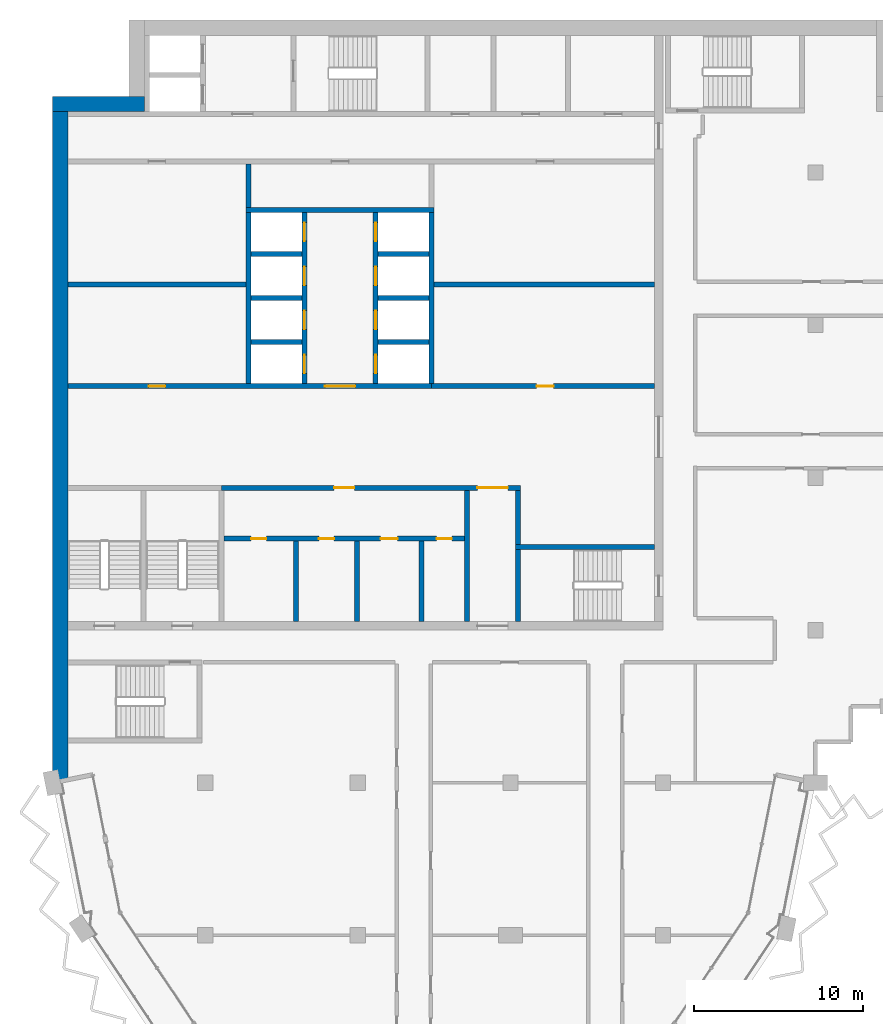
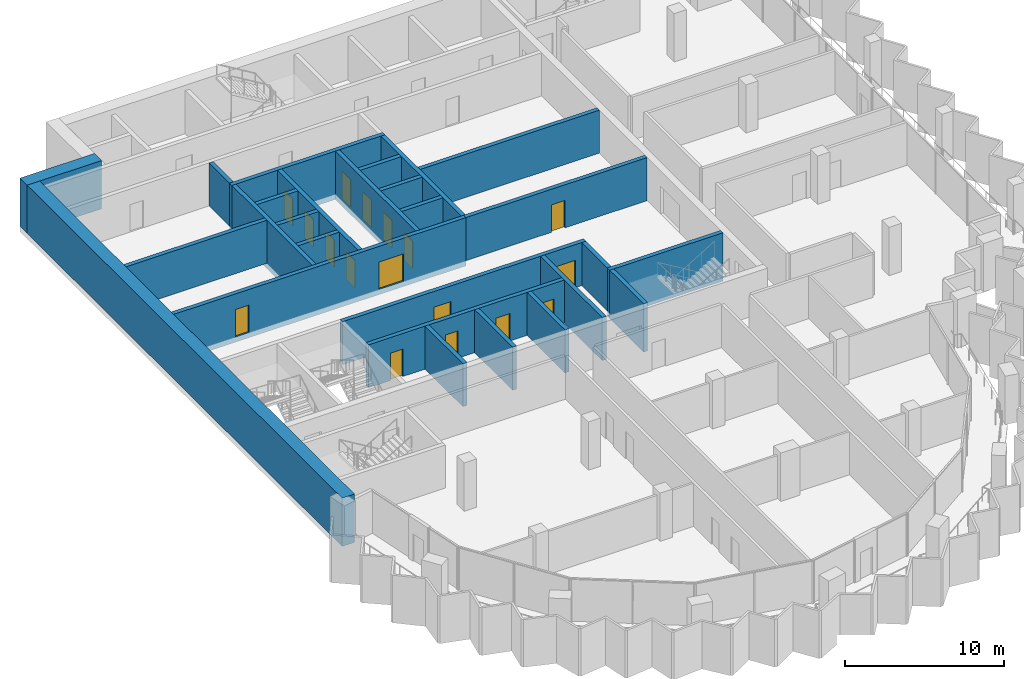
# One storey, part 7 of 13: 27 walls, 17 doors, 17 openings.
"""IFC4 building model written with IfcOpenShell, lengths in metres."""

from ifc_helpers import new_model, si_unit, direction, frame, frame_2d, origin, place, context, subcontext, project, spatial, rectangle, extrude, material, layer, layer_set, type_object, element, fill, save


model = new_model("IFC4")

# Units and contexts
model_context = context("Model", 3, precision=1e-05, world=origin(), true_north=direction((0.0, 1.0)))
body_context = subcontext(model_context, "Body", "Model", "MODEL_VIEW")
ifc_project = project(units=[si_unit("LENGTHUNIT", "METRE"), si_unit("AREAUNIT", "SQUARE_METRE"), si_unit("VOLUMEUNIT", "CUBIC_METRE"), si_unit("PLANEANGLEUNIT", "RADIAN"), si_unit("MASSUNIT", "GRAM", prefix="KILO")], contexts=[model_context])

# Site, building, storey
site_placement = place(None, origin())
site = spatial("IfcSite", under=ifc_project, at=site_placement, CompositionType="ELEMENT")
building_placement = place(site_placement, origin())
building = spatial("IfcBuilding", under=site, at=building_placement, Name="Hunhe Ridgeline Campus", CompositionType="ELEMENT")
storey_placement = place(building_placement, frame((0.0, 0.0, 280.800048828125)))
storey = spatial("IfcBuildingStorey", under=building, at=storey_placement, Name="L72", CompositionType="ELEMENT", Elevation=280.800048828125)

# Wall, openings, doors
ifc_material_1 = material(Name="Masonry concrete blockwork", Category="masonry")
ifc_layer_1 = layer(ifc_material_1, 0.300048828125)
ifc_layer_set_1 = layer_set([ifc_layer_1], Name="Core room partition 300 concrete block")
wall_type_1 = type_object("IfcWallType", Name="Core room partition 300 concrete block", PredefinedType="PARTITIONING", material=ifc_layer_set_1)
wall_1_placement = place(storey_placement, frame((10.10009765625, 68.39990234375, 0.0), z_axis=(0.0, 0.0, 1.0), x_axis=(1.0, 0.0, 0.0)))
wall_1 = element("IfcWall", 1, at=wall_1_placement, inside=storey, type_object=wall_type_1, Name="L72 core partition 5", PredefinedType="PARTITIONING", context=body_context, shape_type="SweptSolid", body=[
    extrude(rectangle(XDim=14.199951171875, YDim=0.300048828125, at=frame_2d((7.10009765625, 0.0))), origin(), (0.0, 0.0, 1.0), 3.300048828125),
])
opening_1_placement = place(wall_1_placement, frame((1.60009765625, 0.0, 0.0)))
opening_1 = element("IfcOpeningElement", 2, at=opening_1_placement, cuts=wall_1, Name="Opening CD8", PredefinedType="OPENING", context=body_context, shape_type="SweptSolid", body=[
    extrude(rectangle(XDim=0.89990234375, YDim=2.10009765625, at=frame_2d((0.449951171875, 1.050048828125))), frame((0.0, 0.14990234375, 0.0), z_axis=(0.0, -1.0, 0.0), x_axis=(1.0, 0.0, 0.0)), (0.0, 0.0, 1.0), 0.300048828125),
])
opening_2_placement = place(wall_1_placement, frame((5.60009765625, 0.0, 0.0)))
opening_2 = element("IfcOpeningElement", 3, at=opening_2_placement, cuts=wall_1, Name="Opening CD9", PredefinedType="OPENING", context=body_context, shape_type="SweptSolid", body=[
    extrude(rectangle(XDim=0.89990234375, YDim=2.10009765625, at=frame_2d((0.449951171875, 1.050048828125))), frame((0.0, 0.14990234375, 0.0), z_axis=(0.0, -1.0, 0.0), x_axis=(1.0, 0.0, 0.0)), (0.0, 0.0, 1.0), 0.300048828125),
])
opening_3_placement = place(wall_1_placement, frame((9.25, 0.0, 0.0)))
opening_3 = element("IfcOpeningElement", 4, at=opening_3_placement, cuts=wall_1, Name="Opening CD10", PredefinedType="OPENING", context=body_context, shape_type="SweptSolid", body=[
    extrude(rectangle(XDim=1.0, YDim=2.10009765625, at=frame_2d((0.5, 1.050048828125))), frame((0.0, 0.14990234375, 0.0), z_axis=(0.0, -1.0, 0.0), x_axis=(1.0, 0.0, 0.0)), (0.0, 0.0, 1.0), 0.300048828125),
])
opening_4_placement = place(wall_1_placement, frame((12.550048828125, 0.0, 0.0)))
opening_4 = element("IfcOpeningElement", 5, at=opening_4_placement, cuts=wall_1, Name="Opening CD11", PredefinedType="OPENING", context=body_context, shape_type="SweptSolid", body=[
    extrude(rectangle(XDim=0.89990234375, YDim=2.10009765625, at=frame_2d((0.449951171875, 1.050048828125))), frame((0.0, 0.14990234375, 0.0), z_axis=(0.0, -1.0, 0.0), x_axis=(1.0, 0.0, 0.0)), (0.0, 0.0, 1.0), 0.300048828125),
])
ifc_material_2 = material(Name="Solid core timber door leaf", Category="wood")
door_type_1 = type_object("IfcDoorType", Name="Timber door 1000x2100", OperationType="SINGLE_SWING_LEFT", PredefinedType="DOOR", material=ifc_material_2)
door_1_placement = place(opening_3_placement, frame((1.0, 0.0, 0.0), z_axis=(0.0, 0.0, 1.0), x_axis=(-1.0, 0.0, 0.0)))
door_1 = element("IfcDoor", 6, at=door_1_placement, inside=storey, type_object=door_type_1, Name="L72 door WC3", OperationType="SINGLE_SWING_LEFT", OverallHeight=2.10009765625, OverallWidth=1.0, PredefinedType="DOOR", context=body_context, shape_type="SweptSolid", body=[
    extrude(rectangle(XDim=1.0, YDim=2.10009765625, at=frame_2d((0.5, 1.050048828125))), frame((0.0, 0.02490234375, 0.0), z_axis=(0.0, -1.0, 0.0), x_axis=(1.0, 0.0, 0.0)), (0.0, 0.0, 1.0), 0.050048828125),
])
fill(opening_3, door_1)
door_type_2 = type_object("IfcDoorType", Name="Timber door 900x2100", OperationType="SINGLE_SWING_LEFT", PredefinedType="DOOR", material=ifc_material_2)
door_2_placement = place(opening_1_placement, frame((0.89990234375, 0.0, 0.0), z_axis=(0.0, 0.0, 1.0), x_axis=(-1.0, 0.0, 0.0)))
door_2 = element("IfcDoor", 7, at=door_2_placement, inside=storey, type_object=door_type_2, Name="L72 door WC1", OperationType="SINGLE_SWING_LEFT", OverallHeight=2.10009765625, OverallWidth=0.89990234375, PredefinedType="DOOR", context=body_context, shape_type="SweptSolid", body=[
    extrude(rectangle(XDim=0.89990234375, YDim=2.10009765625, at=frame_2d((0.449951171875, 1.050048828125))), frame((0.0, 0.02490234375, 0.0), z_axis=(0.0, -1.0, 0.0), x_axis=(1.0, 0.0, 0.0)), (0.0, 0.0, 1.0), 0.050048828125),
])
fill(opening_1, door_2)
door_3_placement = place(opening_2_placement, frame((0.89990234375, 0.0, 0.0), z_axis=(0.0, 0.0, 1.0), x_axis=(-1.0, 0.0, 0.0)))
door_3 = element("IfcDoor", 8, at=door_3_placement, inside=storey, type_object=door_type_2, Name="L72 door WC2", OperationType="SINGLE_SWING_RIGHT", OverallHeight=2.10009765625, OverallWidth=0.89990234375, PredefinedType="DOOR", context=body_context, shape_type="SweptSolid", body=[
    extrude(rectangle(XDim=0.89990234375, YDim=2.10009765625, at=frame_2d((0.449951171875, 1.050048828125))), frame((0.0, 0.02490234375, 0.0), z_axis=(0.0, -1.0, 0.0), x_axis=(1.0, 0.0, 0.0)), (0.0, 0.0, 1.0), 0.050048828125),
])
fill(opening_2, door_3)
door_4_placement = place(opening_4_placement, frame((0.89990234375, 0.0, 0.0), z_axis=(0.0, 0.0, 1.0), x_axis=(-1.0, 0.0, 0.0)))
door_4 = element("IfcDoor", 9, at=door_4_placement, inside=storey, type_object=door_type_2, Name="L72 door WC4", OperationType="SINGLE_SWING_RIGHT", OverallHeight=2.10009765625, OverallWidth=0.89990234375, PredefinedType="DOOR", context=body_context, shape_type="SweptSolid", body=[
    extrude(rectangle(XDim=0.89990234375, YDim=2.10009765625, at=frame_2d((0.449951171875, 1.050048828125))), frame((0.0, 0.02490234375, 0.0), z_axis=(0.0, -1.0, 0.0), x_axis=(1.0, 0.0, 0.0)), (0.0, 0.0, 1.0), 0.050048828125),
])
fill(opening_4, door_4)

wall_2_placement = place(storey_placement, frame((9.949951171875, 71.39990234375, 0.0), z_axis=(0.0, 0.0, 1.0), x_axis=(1.0, 0.0, 0.0)))
wall_2 = element("IfcWall", 10, at=wall_2_placement, inside=storey, type_object=wall_type_1, Name="L72 core partition 7", PredefinedType="PARTITIONING", context=body_context, shape_type="SweptSolid", body=[
    extrude(rectangle(XDim=17.650146484375, YDim=0.300048828125, at=frame_2d((8.8251953125, 0.0))), origin(), (0.0, 0.0, 1.0), 3.300048828125),
])
opening_5_placement = place(wall_2_placement, frame((15.10009765625, 0.0, 0.0)))
opening_5 = element("IfcOpeningElement", 11, at=opening_5_placement, cuts=wall_2, Name="Opening CD7", PredefinedType="OPENING", context=body_context, shape_type="SweptSolid", body=[
    extrude(rectangle(XDim=1.800048828125, YDim=2.10009765625, at=frame_2d((0.89990234375, 1.050048828125))), frame((0.0, 0.14990234375, 0.0), z_axis=(0.0, -1.0, 0.0), x_axis=(1.0, 0.0, 0.0)), (0.0, 0.0, 1.0), 0.300048828125),
])
opening_6_placement = place(wall_2_placement, frame((6.64990234375, 0.0, 0.0)))
opening_6 = element("IfcOpeningElement", 12, at=opening_6_placement, cuts=wall_2, Name="Opening CD37", PredefinedType="OPENING", context=body_context, shape_type="SweptSolid", body=[
    extrude(rectangle(XDim=1.199951171875, YDim=2.10009765625, at=frame_2d((0.60009765625, 1.050048828125))), frame((0.0, 0.14990234375, 0.0), z_axis=(0.0, -1.0, 0.0), x_axis=(1.0, 0.0, 0.0)), (0.0, 0.0, 1.0), 0.300048828125),
])
ifc_material_3 = material(Name="Anodised aluminium and glass", Category="aluminium")
door_type_3 = type_object("IfcDoorType", Name="Glazed double door 1800x2100", OperationType="DOUBLE_DOOR_SINGLE_SWING", PredefinedType="DOOR", material=ifc_material_3)
door_5_placement = place(opening_5_placement, origin())
door_5 = element("IfcDoor", 13, at=door_5_placement, inside=storey, type_object=door_type_3, Name="L72 door VEST-HALL", OperationType="DOUBLE_DOOR_SINGLE_SWING", OverallHeight=2.10009765625, OverallWidth=1.800048828125, PredefinedType="DOOR", context=body_context, shape_type="SweptSolid", body=[
    extrude(rectangle(XDim=1.800048828125, YDim=2.10009765625, at=frame_2d((0.89990234375, 1.050048828125))), frame((0.0, 0.02490234375, 0.0), z_axis=(0.0, -1.0, 0.0), x_axis=(1.0, 0.0, 0.0)), (0.0, 0.0, 1.0), 0.050048828125),
])
fill(opening_5, door_5)
door_type_4 = type_object("IfcDoorType", Name="Timber door 1200x2100", OperationType="SINGLE_SWING_LEFT", PredefinedType="DOOR", material=ifc_material_2)
door_6_placement = place(opening_6_placement, origin())
door_6 = element("IfcDoor", 14, at=door_6_placement, inside=storey, type_object=door_type_4, Name="L72 door WCL1-HALL", OperationType="SINGLE_SWING_RIGHT", OverallHeight=2.10009765625, OverallWidth=1.199951171875, PredefinedType="DOOR", context=body_context, shape_type="SweptSolid", body=[
    extrude(rectangle(XDim=1.199951171875, YDim=2.10009765625, at=frame_2d((0.60009765625, 1.050048828125))), frame((0.0, 0.02490234375, 0.0), z_axis=(0.0, -1.0, 0.0), x_axis=(1.0, 0.0, 0.0)), (0.0, 0.0, 1.0), 0.050048828125),
])
fill(opening_6, door_6)

# Wall, opening, door
wall_3_placement = place(storey_placement, frame((22.35009765625, 77.39990234375, 0.0), z_axis=(0.0, 0.0, 1.0), x_axis=(1.0, 0.0, 0.0)))
wall_3 = element("IfcWall", 15, at=wall_3_placement, inside=storey, type_object=wall_type_1, Name="L72 core partition 9", PredefinedType="PARTITIONING", context=body_context, shape_type="SweptSolid", body=[
    extrude(rectangle(XDim=13.14990234375, YDim=0.300048828125, at=frame_2d((6.574951171875, 0.0))), origin(), (0.0, 0.0, 1.0), 3.300048828125),
])
opening_7_placement = place(wall_3_placement, frame((6.199951171875, 0.0, 0.0)))
opening_7 = element("IfcOpeningElement", 16, at=opening_7_placement, cuts=wall_3, Name="Opening CD32", PredefinedType="OPENING", context=body_context, shape_type="SweptSolid", body=[
    extrude(rectangle(XDim=1.0, YDim=2.10009765625, at=frame_2d((0.5, 1.050048828125))), frame((0.0, 0.14990234375, 0.0), z_axis=(0.0, -1.0, 0.0), x_axis=(1.0, 0.0, 0.0)), (0.0, 0.0, 1.0), 0.300048828125),
])
door_7_placement = place(opening_7_placement, origin())
door_7 = element("IfcDoor", 17, at=door_7_placement, inside=storey, type_object=door_type_1, Name="L72 door ES0", OperationType="SINGLE_SWING_RIGHT", OverallHeight=2.10009765625, OverallWidth=1.0, PredefinedType="DOOR", context=body_context, shape_type="SweptSolid", body=[
    extrude(rectangle(XDim=1.0, YDim=2.10009765625, at=frame_2d((0.5, 1.050048828125))), frame((0.0, 0.02490234375, 0.0), z_axis=(0.0, -1.0, 0.0), x_axis=(1.0, 0.0, 0.0)), (0.0, 0.0, 1.0), 0.050048828125),
])
fill(opening_7, door_7)

# Walls
wall_4_placement = place(storey_placement, frame((0.89990234375, 83.39990234375, 0.0), z_axis=(0.0, 0.0, 1.0), x_axis=(1.0, 0.0, 0.0)))
element("IfcWall", 18, at=wall_4_placement, inside=storey, type_object=wall_type_1, Name="L72 core partition 14", PredefinedType="PARTITIONING", context=body_context, shape_type="SweptSolid", body=[
    extrude(rectangle(XDim=10.5, YDim=0.300048828125, at=frame_2d((5.25, 0.0))), origin(), (0.0, 0.0, 1.0), 3.300048828125),
])
wall_5_placement = place(storey_placement, frame((22.5, 83.39990234375, 0.0), z_axis=(0.0, 0.0, 1.0), x_axis=(1.0, 0.0, 0.0)))
element("IfcWall", 19, at=wall_5_placement, inside=storey, type_object=wall_type_1, Name="L72 core partition 15", PredefinedType="PARTITIONING", context=body_context, shape_type="SweptSolid", body=[
    extrude(rectangle(XDim=13.0, YDim=0.300048828125, at=frame_2d((6.5, 0.0))), origin(), (0.0, 0.0, 1.0), 3.300048828125),
])
wall_6_placement = place(storey_placement, frame((11.550048828125, 87.949951171875, 0.0), z_axis=(0.0, 0.0, 1.0), x_axis=(0.0, 1.0, 0.0)))
element("IfcWall", 20, at=wall_6_placement, inside=storey, type_object=wall_type_1, Name="L72 core partition 29", PredefinedType="PARTITIONING", context=body_context, shape_type="SweptSolid", body=[
    extrude(rectangle(XDim=2.550048828125, YDim=0.300048828125, at=frame_2d((1.27490234375, 0.0))), origin(), (0.0, 0.0, 1.0), 3.300048828125),
])
for number, where, z_axis, x_axis, name in (
    (21, (14.35009765625, 63.5, 0.0), (0.0, 0.0, 1.0), (0.0, 1.0, 0.0), "L72 core partition 31"),
    (22, (17.949951171875, 63.5, 0.0), (0.0, 0.0, 1.0), (0.0, 1.0, 0.0), "L72 core partition 33"),
    (23, (21.75, 63.5, 0.0), (0.0, 0.0, 1.0), (0.0, 1.0, 0.0), "L72 core partition 35"),
):
    element("IfcWall", number, at=place(storey_placement, frame(where, z_axis=z_axis, x_axis=x_axis)), inside=storey, type_object=wall_type_1, Name=name, PredefinedType="PARTITIONING", context=body_context, shape_type="SweptSolid", body=[
        extrude(rectangle(XDim=4.75, YDim=0.300048828125, at=frame_2d((2.375, 0.0))), origin(), (0.0, 0.0, 1.0), 3.300048828125),
    ])
wall_7_placement = place(storey_placement, frame((24.449951171875, 63.5, 0.0), z_axis=(0.0, 0.0, 1.0), x_axis=(0.0, 1.0, 0.0)))
element("IfcWall", 24, at=wall_7_placement, inside=storey, type_object=wall_type_1, Name="L72 core partition 39", PredefinedType="PARTITIONING", context=body_context, shape_type="SweptSolid", body=[
    extrude(rectangle(XDim=7.75, YDim=0.300048828125, at=frame_2d((3.875, 0.0))), origin(), (0.0, 0.0, 1.0), 3.300048828125),
])
wall_8_placement = place(storey_placement, frame((27.449951171875, 68.050048828125, 0.0), z_axis=(0.0, 0.0, 1.0), x_axis=(0.0, 1.0, 0.0)))
element("IfcWall", 25, at=wall_8_placement, inside=storey, type_object=wall_type_1, Name="L72 core partition 42", PredefinedType="PARTITIONING", context=body_context, shape_type="SweptSolid", body=[
    extrude(rectangle(XDim=3.199951171875, YDim=0.300048828125, at=frame_2d((1.60009765625, 0.0))), origin(), (0.0, 0.0, 1.0), 3.300048828125),
])

# Wall, openings, doors
ifc_material_4 = material(Name="Concrete C50", Category="concrete")
ifc_layer_2 = layer(ifc_material_4, 0.300048828125)
ifc_layer_set_2 = layer_set([ifc_layer_2], Name="Shaft wall 300 reinforced concrete C50")
wall_type_2 = type_object("IfcWallType", Name="Shaft wall 300 reinforced concrete C50", PredefinedType="SOLIDWALL", material=ifc_layer_set_2)
wall_9_placement = place(storey_placement, frame((0.89990234375, 77.39990234375, -0.400146484375), z_axis=(0.0, 0.0, 1.0), x_axis=(1.0, 0.0, 0.0)))
wall_9 = element("IfcWall", 26, at=wall_9_placement, inside=storey, type_object=wall_type_2, Name="L72 core wall 8", PredefinedType="SOLIDWALL", context=body_context, shape_type="SweptSolid", body=[
    extrude(rectangle(XDim=21.4501953125, YDim=0.300048828125, at=frame_2d((10.72509765625, 0.0))), origin(), (0.0, 0.0, 1.0), 3.7001953125),
])
opening_8_placement = place(wall_9_placement, frame((15.14990234375, 0.0, 0.39990234375)))
opening_8 = element("IfcOpeningElement", 27, at=opening_8_placement, cuts=wall_9, Name="Opening CD38", PredefinedType="OPENING", context=body_context, shape_type="SweptSolid", body=[
    extrude(rectangle(XDim=1.800048828125, YDim=2.10009765625, at=frame_2d((0.89990234375, 1.050048828125))), frame((0.0, 0.14990234375, 0.0), z_axis=(0.0, -1.0, 0.0), x_axis=(1.0, 0.0, 0.0)), (0.0, 0.0, 1.0), 0.300048828125),
])
opening_9_placement = place(wall_9_placement, frame((4.75, 0.0, 0.39990234375)))
opening_9 = element("IfcOpeningElement", 28, at=opening_9_placement, cuts=wall_9, Name="Opening CD39", PredefinedType="OPENING", context=body_context, shape_type="SweptSolid", body=[
    extrude(rectangle(XDim=1.0, YDim=2.10009765625, at=frame_2d((0.5, 1.050048828125))), frame((0.0, 0.14990234375, 0.0), z_axis=(0.0, -1.0, 0.0), x_axis=(1.0, 0.0, 0.0)), (0.0, 0.0, 1.0), 0.300048828125),
])
ifc_material_5 = material(Name="Hollow metal fire door leaf")
door_type_5 = type_object("IfcDoorType", Name="Lobby door 1800x2100 FD60", OperationType="SINGLE_SWING_LEFT", PredefinedType="DOOR", material=ifc_material_5)
door_8_placement = place(opening_8_placement, frame((1.800048828125, 0.0, 0.0), z_axis=(0.0, 0.0, 1.0), x_axis=(-1.0, 0.0, 0.0)))
door_8 = element("IfcDoor", 29, at=door_8_placement, inside=storey, type_object=door_type_5, Name="L72 door LOB-HR", OperationType="SINGLE_SWING_RIGHT", OverallHeight=2.10009765625, OverallWidth=1.800048828125, PredefinedType="DOOR", context=body_context, shape_type="SweptSolid", body=[
    extrude(rectangle(XDim=1.800048828125, YDim=2.10009765625, at=frame_2d((0.89990234375, 1.050048828125))), frame((0.0, 0.02490234375, 0.0), z_axis=(0.0, -1.0, 0.0), x_axis=(1.0, 0.0, 0.0)), (0.0, 0.0, 1.0), 0.050048828125),
])
fill(opening_8, door_8)
door_9_placement = place(opening_9_placement, origin())
door_9 = element("IfcDoor", 30, at=door_9_placement, inside=storey, type_object=door_type_1, Name="L72 door VD-LR0", OperationType="SINGLE_SWING_LEFT", OverallHeight=2.10009765625, OverallWidth=1.0, PredefinedType="DOOR", context=body_context, shape_type="SweptSolid", body=[
    extrude(rectangle(XDim=1.0, YDim=2.10009765625, at=frame_2d((0.5, 1.050048828125))), frame((0.0, 0.02490234375, 0.0), z_axis=(0.0, -1.0, 0.0), x_axis=(1.0, 0.0, 0.0)), (0.0, 0.0, 1.0), 0.050048828125),
])
fill(opening_9, door_9)

# Walls
for number, where, z_axis, x_axis, name in (
    (31, (11.699951171875, 80.0, -0.400146484375), (0.0, 0.0, 1.0), (1.0, 0.0, 0.0), "L72 core wall 10"),
    (32, (19.199951171875, 80.0, -0.400146484375), (0.0, 0.0, 1.0), (1.0, 0.0, 0.0), "L72 core wall 11"),
    (33, (11.699951171875, 82.60009765625, -0.400146484375), (0.0, 0.0, 1.0), (1.0, 0.0, 0.0), "L72 core wall 12"),
    (34, (19.199951171875, 82.60009765625, -0.400146484375), (0.0, 0.0, 1.0), (1.0, 0.0, 0.0), "L72 core wall 13"),
    (35, (11.699951171875, 85.199951171875, -0.400146484375), (0.0, 0.0, 1.0), (1.0, 0.0, 0.0), "L72 core wall 16"),
    (36, (19.199951171875, 85.199951171875, -0.400146484375), (0.0, 0.0, 1.0), (1.0, 0.0, 0.0), "L72 core wall 17"),
):
    element("IfcWall", number, at=place(storey_placement, frame(where, z_axis=z_axis, x_axis=x_axis)), inside=storey, type_object=wall_type_2, Name=name, PredefinedType="SOLIDWALL", context=body_context, shape_type="SweptSolid", body=[
        extrude(rectangle(XDim=3.0, YDim=0.300048828125, at=frame_2d((1.5, 0.0))), origin(), (0.0, 0.0, 1.0), 3.7001953125),
    ])
wall_10_placement = place(storey_placement, frame((11.39990234375, 87.800048828125, -0.400146484375), z_axis=(0.0, 0.0, 1.0), x_axis=(1.0, 0.0, 0.0)))
element("IfcWall", 37, at=wall_10_placement, inside=storey, type_object=wall_type_2, Name="L72 core wall 18", PredefinedType="SOLIDWALL", context=body_context, shape_type="SweptSolid", body=[
    extrude(rectangle(XDim=11.10009765625, YDim=0.300048828125, at=frame_2d((5.550048828125, 0.0))), origin(), (0.0, 0.0, 1.0), 3.7001953125),
])
wall_11_placement = place(storey_placement, frame((11.550048828125, 77.550048828125, -0.400146484375), z_axis=(0.0, 0.0, 1.0), x_axis=(0.0, 1.0, 0.0)))
element("IfcWall", 38, at=wall_11_placement, inside=storey, type_object=wall_type_2, Name="L72 core wall 28", PredefinedType="SOLIDWALL", context=body_context, shape_type="SweptSolid", body=[
    extrude(rectangle(XDim=10.099853515625, YDim=0.300048828125, at=frame_2d((5.0498046875, 0.0))), origin(), (0.0, 0.0, 1.0), 3.7001953125),
])

# Wall, openings, doors
wall_12_placement = place(storey_placement, frame((14.85009765625, 77.550048828125, -0.400146484375), z_axis=(0.0, 0.0, 1.0), x_axis=(0.0, 1.0, 0.0)))
wall_12 = element("IfcWall", 39, at=wall_12_placement, inside=storey, type_object=wall_type_2, Name="L72 core wall 32", PredefinedType="SOLIDWALL", context=body_context, shape_type="SweptSolid", body=[
    extrude(rectangle(XDim=10.099853515625, YDim=0.300048828125, at=frame_2d((5.0498046875, 0.0))), origin(), (0.0, 0.0, 1.0), 3.7001953125),
])
opening_10_placement = place(wall_12_placement, frame((0.60009765625, 0.0, 0.39990234375)))
opening_10 = element("IfcOpeningElement", 40, at=opening_10_placement, cuts=wall_12, Name="Opening LD-HR1", PredefinedType="OPENING", context=body_context, shape_type="SweptSolid", body=[
    extrude(rectangle(XDim=1.10009765625, YDim=2.10009765625, at=frame_2d((0.550048828125, 1.050048828125))), frame((0.0, 0.14990234375, 0.0), z_axis=(0.0, -1.0, 0.0), x_axis=(1.0, 0.0, 0.0)), (0.0, 0.0, 1.0), 0.300048828125),
])
opening_11_placement = place(wall_12_placement, frame((3.199951171875, 0.0, 0.39990234375)))
opening_11 = element("IfcOpeningElement", 41, at=opening_11_placement, cuts=wall_12, Name="Opening LD-HR2", PredefinedType="OPENING", context=body_context, shape_type="SweptSolid", body=[
    extrude(rectangle(XDim=1.10009765625, YDim=2.10009765625, at=frame_2d((0.550048828125, 1.050048828125))), frame((0.0, 0.14990234375, 0.0), z_axis=(0.0, -1.0, 0.0), x_axis=(1.0, 0.0, 0.0)), (0.0, 0.0, 1.0), 0.300048828125),
])
opening_12_placement = place(wall_12_placement, frame((5.800048828125, 0.0, 0.39990234375)))
opening_12 = element("IfcOpeningElement", 42, at=opening_12_placement, cuts=wall_12, Name="Opening LD-HR3", PredefinedType="OPENING", context=body_context, shape_type="SweptSolid", body=[
    extrude(rectangle(XDim=1.10009765625, YDim=2.10009765625, at=frame_2d((0.550048828125, 1.050048828125))), frame((0.0, 0.14990234375, 0.0), z_axis=(0.0, -1.0, 0.0), x_axis=(1.0, 0.0, 0.0)), (0.0, 0.0, 1.0), 0.300048828125),
])
opening_13_placement = place(wall_12_placement, frame((8.39990234375, 0.0, 0.39990234375)))
opening_13 = element("IfcOpeningElement", 43, at=opening_13_placement, cuts=wall_12, Name="Opening LD-HR4", PredefinedType="OPENING", context=body_context, shape_type="SweptSolid", body=[
    extrude(rectangle(XDim=1.10009765625, YDim=2.10009765625, at=frame_2d((0.550048828125, 1.050048828125))), frame((0.0, 0.14990234375, 0.0), z_axis=(0.0, -1.0, 0.0), x_axis=(1.0, 0.0, 0.0)), (0.0, 0.0, 1.0), 0.300048828125),
])
ifc_material_6 = material(Name="Stainless steel sliding leaves", Category="steel")
door_type_6 = type_object("IfcDoorType", Name="Landing door 1100x2100 FD120", OperationType="SLIDING_TO_LEFT", PredefinedType="DOOR", material=ifc_material_6)
door_10_placement = place(opening_10_placement, origin())
door_10 = element("IfcDoor", 44, at=door_10_placement, inside=storey, type_object=door_type_6, Name="L72 landing door HR1", OperationType="SLIDING_TO_RIGHT", OverallHeight=2.10009765625, OverallWidth=1.10009765625, PredefinedType="DOOR", context=body_context, shape_type="SweptSolid", body=[
    extrude(rectangle(XDim=1.10009765625, YDim=2.10009765625, at=frame_2d((0.550048828125, 1.050048828125))), frame((0.0, 0.02490234375, 0.0), z_axis=(0.0, -1.0, 0.0), x_axis=(1.0, 0.0, 0.0)), (0.0, 0.0, 1.0), 0.050048828125),
])
fill(opening_10, door_10)
door_11_placement = place(opening_11_placement, origin())
door_11 = element("IfcDoor", 45, at=door_11_placement, inside=storey, type_object=door_type_6, Name="L72 landing door HR2", OperationType="SLIDING_TO_LEFT", OverallHeight=2.10009765625, OverallWidth=1.10009765625, PredefinedType="DOOR", context=body_context, shape_type="SweptSolid", body=[
    extrude(rectangle(XDim=1.10009765625, YDim=2.10009765625, at=frame_2d((0.550048828125, 1.050048828125))), frame((0.0, 0.02490234375, 0.0), z_axis=(0.0, -1.0, 0.0), x_axis=(1.0, 0.0, 0.0)), (0.0, 0.0, 1.0), 0.050048828125),
])
fill(opening_11, door_11)
door_12_placement = place(opening_12_placement, origin())
door_12 = element("IfcDoor", 46, at=door_12_placement, inside=storey, type_object=door_type_6, Name="L72 landing door HR3", OperationType="SLIDING_TO_RIGHT", OverallHeight=2.10009765625, OverallWidth=1.10009765625, PredefinedType="DOOR", context=body_context, shape_type="SweptSolid", body=[
    extrude(rectangle(XDim=1.10009765625, YDim=2.10009765625, at=frame_2d((0.550048828125, 1.050048828125))), frame((0.0, 0.02490234375, 0.0), z_axis=(0.0, -1.0, 0.0), x_axis=(1.0, 0.0, 0.0)), (0.0, 0.0, 1.0), 0.050048828125),
])
fill(opening_12, door_12)
door_13_placement = place(opening_13_placement, origin())
door_13 = element("IfcDoor", 47, at=door_13_placement, inside=storey, type_object=door_type_6, Name="L72 landing door HR4", OperationType="SLIDING_TO_LEFT", OverallHeight=2.10009765625, OverallWidth=1.10009765625, PredefinedType="DOOR", context=body_context, shape_type="SweptSolid", body=[
    extrude(rectangle(XDim=1.10009765625, YDim=2.10009765625, at=frame_2d((0.550048828125, 1.050048828125))), frame((0.0, 0.02490234375, 0.0), z_axis=(0.0, -1.0, 0.0), x_axis=(1.0, 0.0, 0.0)), (0.0, 0.0, 1.0), 0.050048828125),
])
fill(opening_13, door_13)

wall_13_placement = place(storey_placement, frame((19.050048828125, 77.550048828125, -0.400146484375), z_axis=(0.0, 0.0, 1.0), x_axis=(0.0, 1.0, 0.0)))
wall_13 = element("IfcWall", 48, at=wall_13_placement, inside=storey, type_object=wall_type_2, Name="L72 core wall 34", PredefinedType="SOLIDWALL", context=body_context, shape_type="SweptSolid", body=[
    extrude(rectangle(XDim=10.099853515625, YDim=0.300048828125, at=frame_2d((5.0498046875, 0.0))), origin(), (0.0, 0.0, 1.0), 3.7001953125),
])
opening_14_placement = place(wall_13_placement, frame((0.60009765625, 0.0, 0.39990234375)))
opening_14 = element("IfcOpeningElement", 49, at=opening_14_placement, cuts=wall_13, Name="Opening LD-HR5", PredefinedType="OPENING", context=body_context, shape_type="SweptSolid", body=[
    extrude(rectangle(XDim=1.10009765625, YDim=2.10009765625, at=frame_2d((0.550048828125, 1.050048828125))), frame((0.0, 0.14990234375, 0.0), z_axis=(0.0, -1.0, 0.0), x_axis=(1.0, 0.0, 0.0)), (0.0, 0.0, 1.0), 0.300048828125),
])
opening_15_placement = place(wall_13_placement, frame((3.199951171875, 0.0, 0.39990234375)))
opening_15 = element("IfcOpeningElement", 50, at=opening_15_placement, cuts=wall_13, Name="Opening LD-HR6", PredefinedType="OPENING", context=body_context, shape_type="SweptSolid", body=[
    extrude(rectangle(XDim=1.10009765625, YDim=2.10009765625, at=frame_2d((0.550048828125, 1.050048828125))), frame((0.0, 0.14990234375, 0.0), z_axis=(0.0, -1.0, 0.0), x_axis=(1.0, 0.0, 0.0)), (0.0, 0.0, 1.0), 0.300048828125),
])
opening_16_placement = place(wall_13_placement, frame((5.800048828125, 0.0, 0.39990234375)))
opening_16 = element("IfcOpeningElement", 51, at=opening_16_placement, cuts=wall_13, Name="Opening LD-HR7", PredefinedType="OPENING", context=body_context, shape_type="SweptSolid", body=[
    extrude(rectangle(XDim=1.10009765625, YDim=2.10009765625, at=frame_2d((0.550048828125, 1.050048828125))), frame((0.0, 0.14990234375, 0.0), z_axis=(0.0, -1.0, 0.0), x_axis=(1.0, 0.0, 0.0)), (0.0, 0.0, 1.0), 0.300048828125),
])
opening_17_placement = place(wall_13_placement, frame((8.39990234375, 0.0, 0.39990234375)))
opening_17 = element("IfcOpeningElement", 52, at=opening_17_placement, cuts=wall_13, Name="Opening LD-HR8", PredefinedType="OPENING", context=body_context, shape_type="SweptSolid", body=[
    extrude(rectangle(XDim=1.10009765625, YDim=2.10009765625, at=frame_2d((0.550048828125, 1.050048828125))), frame((0.0, 0.14990234375, 0.0), z_axis=(0.0, -1.0, 0.0), x_axis=(1.0, 0.0, 0.0)), (0.0, 0.0, 1.0), 0.300048828125),
])
door_14_placement = place(opening_14_placement, origin())
door_14 = element("IfcDoor", 53, at=door_14_placement, inside=storey, type_object=door_type_6, Name="L72 landing door HR5", OperationType="SLIDING_TO_RIGHT", OverallHeight=2.10009765625, OverallWidth=1.10009765625, PredefinedType="DOOR", context=body_context, shape_type="SweptSolid", body=[
    extrude(rectangle(XDim=1.10009765625, YDim=2.10009765625, at=frame_2d((0.550048828125, 1.050048828125))), frame((0.0, 0.02490234375, 0.0), z_axis=(0.0, -1.0, 0.0), x_axis=(1.0, 0.0, 0.0)), (0.0, 0.0, 1.0), 0.050048828125),
])
fill(opening_14, door_14)
door_15_placement = place(opening_15_placement, origin())
door_15 = element("IfcDoor", 54, at=door_15_placement, inside=storey, type_object=door_type_6, Name="L72 landing door HR6", OperationType="SLIDING_TO_LEFT", OverallHeight=2.10009765625, OverallWidth=1.10009765625, PredefinedType="DOOR", context=body_context, shape_type="SweptSolid", body=[
    extrude(rectangle(XDim=1.10009765625, YDim=2.10009765625, at=frame_2d((0.550048828125, 1.050048828125))), frame((0.0, 0.02490234375, 0.0), z_axis=(0.0, -1.0, 0.0), x_axis=(1.0, 0.0, 0.0)), (0.0, 0.0, 1.0), 0.050048828125),
])
fill(opening_15, door_15)
door_16_placement = place(opening_16_placement, origin())
door_16 = element("IfcDoor", 55, at=door_16_placement, inside=storey, type_object=door_type_6, Name="L72 landing door HR7", OperationType="SLIDING_TO_RIGHT", OverallHeight=2.10009765625, OverallWidth=1.10009765625, PredefinedType="DOOR", context=body_context, shape_type="SweptSolid", body=[
    extrude(rectangle(XDim=1.10009765625, YDim=2.10009765625, at=frame_2d((0.550048828125, 1.050048828125))), frame((0.0, 0.02490234375, 0.0), z_axis=(0.0, -1.0, 0.0), x_axis=(1.0, 0.0, 0.0)), (0.0, 0.0, 1.0), 0.050048828125),
])
fill(opening_16, door_16)
door_17_placement = place(opening_17_placement, origin())
door_17 = element("IfcDoor", 56, at=door_17_placement, inside=storey, type_object=door_type_6, Name="L72 landing door HR8", OperationType="SLIDING_TO_LEFT", OverallHeight=2.10009765625, OverallWidth=1.10009765625, PredefinedType="DOOR", context=body_context, shape_type="SweptSolid", body=[
    extrude(rectangle(XDim=1.10009765625, YDim=2.10009765625, at=frame_2d((0.550048828125, 1.050048828125))), frame((0.0, 0.02490234375, 0.0), z_axis=(0.0, -1.0, 0.0), x_axis=(1.0, 0.0, 0.0)), (0.0, 0.0, 1.0), 0.050048828125),
])
fill(opening_17, door_17)

# Walls
wall_14_placement = place(storey_placement, frame((22.35009765625, 77.550048828125, -0.400146484375), z_axis=(0.0, 0.0, 1.0), x_axis=(0.0, 1.0, 0.0)))
element("IfcWall", 57, at=wall_14_placement, inside=storey, type_object=wall_type_2, Name="L72 core wall 37", PredefinedType="SOLIDWALL", context=body_context, shape_type="SweptSolid", body=[
    extrude(rectangle(XDim=10.099853515625, YDim=0.300048828125, at=frame_2d((5.0498046875, 0.0))), origin(), (0.0, 0.0, 1.0), 3.7001953125),
])
ifc_layer_3 = layer(ifc_material_4, 0.89990234375)
ifc_layer_set_3 = layer_set([ifc_layer_3], Name="Spine wall 900 Concrete C50")
wall_type_3 = type_object("IfcWallType", Name="Spine wall 900 Concrete C50", PredefinedType="SHEAR", material=ifc_layer_set_3)
wall_15_placement = place(storey_placement, frame((0.449951171875, 94.5, 0.0), z_axis=(0.0, 0.0, 1.0), x_axis=(0.0, -1.0, 0.0)))
element("IfcWall", 58, at=wall_15_placement, inside=storey, type_object=wall_type_3, Name="Spine wall SW4-1 L72", PredefinedType="SHEAR", context=body_context, shape_type="SweptSolid", body=[
    extrude(rectangle(XDim=40.45556640625, YDim=0.89990234375, at=frame_2d((20.227783203125, 0.0))), origin(), (0.0, 0.0, 1.0), 3.699951171875),
])
wall_16_placement = place(storey_placement, frame((5.400146484375, 94.050048828125, 0.0), z_axis=(0.0, 0.0, 1.0), x_axis=(-1.0, 0.0, 0.0)))
element("IfcWall", 59, at=wall_16_placement, inside=storey, type_object=wall_type_3, Name="Spine wall SW4-6 L72", PredefinedType="SHEAR", context=body_context, shape_type="SweptSolid", body=[
    extrude(rectangle(XDim=5.400146484375, YDim=0.89990234375, at=frame_2d((2.7001953125, 0.0))), origin(), (0.0, 0.0, 1.0), 3.699951171875),
])
ifc_layer_4 = layer(ifc_material_4, 0.300048828125)
ifc_layer_set_4 = layer_set([ifc_layer_4], Name="Stair wall 300 reinforced concrete C50")
wall_type_4 = type_object("IfcWallType", Name="Stair wall 300 reinforced concrete C50", PredefinedType="SOLIDWALL", material=ifc_layer_set_4)
wall_17_placement = place(storey_placement, frame((27.300048828125, 67.89990234375, -0.400146484375), z_axis=(0.0, 0.0, 1.0), x_axis=(1.0, 0.0, 0.0)))
element("IfcWall", 60, at=wall_17_placement, inside=storey, type_object=wall_type_4, Name="L72 core wall 4", PredefinedType="SOLIDWALL", context=body_context, shape_type="SweptSolid", body=[
    extrude(rectangle(XDim=8.199951171875, YDim=0.300048828125, at=frame_2d((4.10009765625, 0.0))), origin(), (0.0, 0.0, 1.0), 3.7001953125),
])
wall_18_placement = place(storey_placement, frame((27.449951171875, 63.5, -0.400146484375), z_axis=(0.0, 0.0, 1.0), x_axis=(0.0, 1.0, 0.0)))
element("IfcWall", 61, at=wall_18_placement, inside=storey, type_object=wall_type_4, Name="L72 core wall 41", PredefinedType="SOLIDWALL", context=body_context, shape_type="SweptSolid", body=[
    extrude(rectangle(XDim=4.25, YDim=0.300048828125, at=frame_2d((2.125, 0.0))), origin(), (0.0, 0.0, 1.0), 3.7001953125),
])

save(model, "model.ifc")
